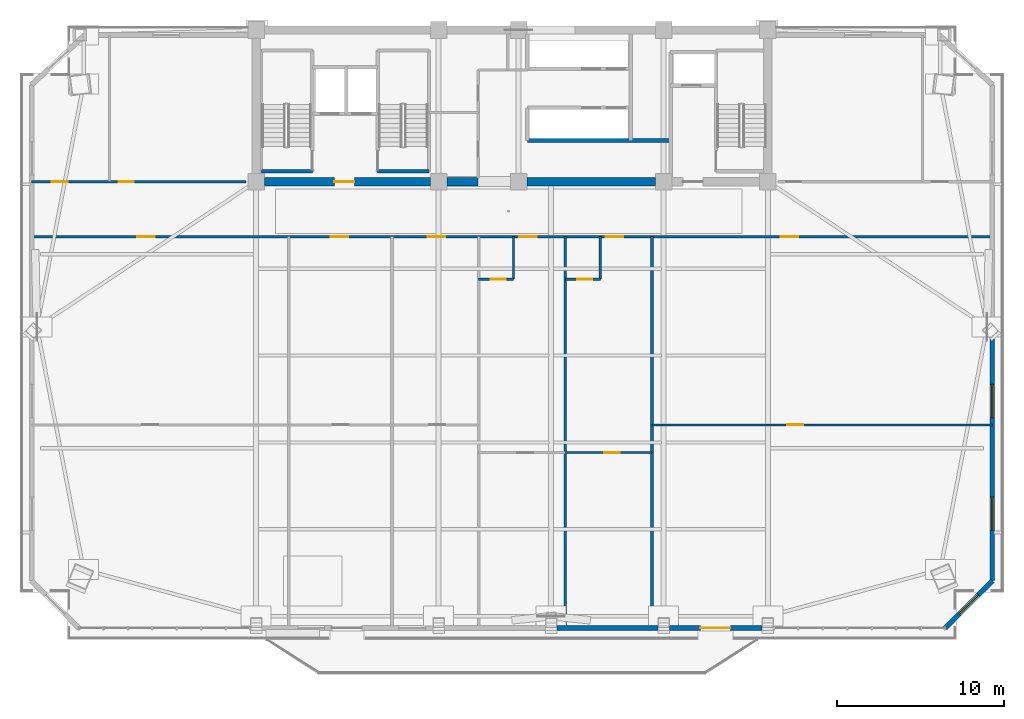
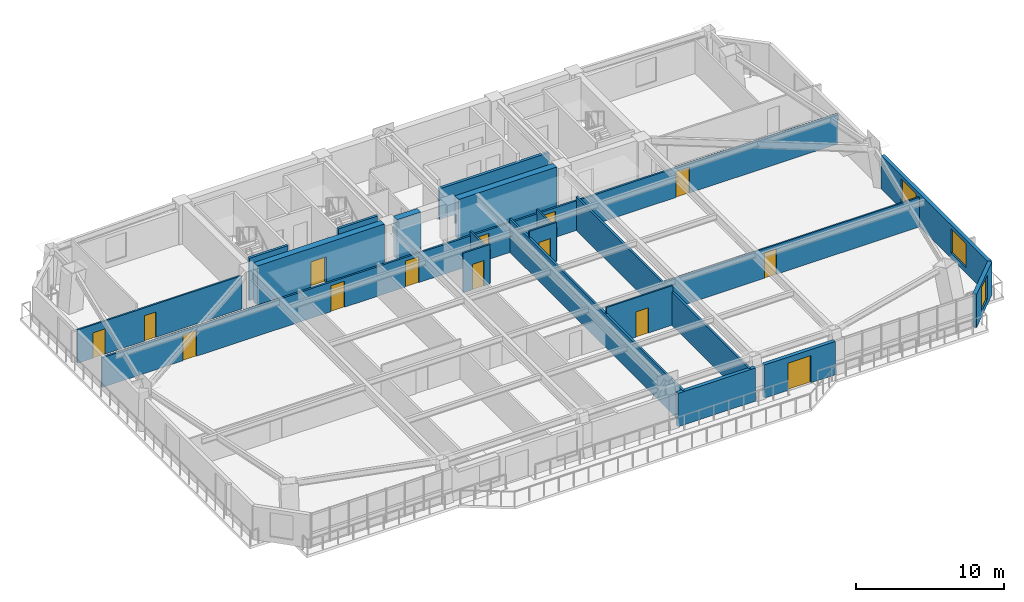
# One storey, part 8 of 16: 20 walls, 14 doors, 3 windows, 17 openings.
"""IFC4 building model written with IfcOpenShell, lengths in metres."""

from ifc_helpers import new_model, si_unit, direction, frame, frame_2d, origin, place, context, subcontext, project, spatial, rectangle, extrude, source, transform, mapped, material, layer, layer_set, type_object, element, fill, save


model = new_model("IFC4")

# Units and contexts
model_context = context("Model", 3, precision=1e-05, world=origin(), true_north=direction((0.0, 1.0)))
body_context = subcontext(model_context, "Body", "Model", "MODEL_VIEW")
ifc_project = project(units=[si_unit("LENGTHUNIT", "METRE"), si_unit("AREAUNIT", "SQUARE_METRE"), si_unit("VOLUMEUNIT", "CUBIC_METRE"), si_unit("PLANEANGLEUNIT", "RADIAN"), si_unit("MASSUNIT", "GRAM", prefix="KILO")], contexts=[model_context])

# Site, building, storey
site_placement = place(None, origin())
site = spatial("IfcSite", under=ifc_project, at=site_placement, CompositionType="ELEMENT")
building_placement = place(site_placement, origin())
building = spatial("IfcBuilding", under=site, at=building_placement, Name="Giltprow Tower", CompositionType="ELEMENT")
storey_placement = place(building_placement, frame((0.0, 0.0, 199.199951171875)))
storey = spatial("IfcBuildingStorey", under=building, at=storey_placement, Name="L50", CompositionType="ELEMENT", Elevation=199.199951171875)

# Wall, opening, window
ifc_material_1 = material(Name="Precast concrete C40", Category="concrete")
ifc_layer_1 = layer(ifc_material_1, 0.300048828125, Name="Precast concrete C40")
ifc_layer_set_1 = layer_set([ifc_layer_1], Name="Precast concrete C40")
wall_type_1 = type_object("IfcWallType", Name="EW-NOTCH-CHAMFER-300", PredefinedType="SOLIDWALL", material=ifc_layer_set_1)
wall_1_placement = place(storey_placement, frame((61.177001953125, 10.679931640625, 0.0), z_axis=(0.0, 0.0, 1.0), x_axis=(0.707106781187, 0.707106781187, 0.0)))
wall_1 = element("IfcWall", 1, at=wall_1_placement, inside=storey, type_object=wall_type_1, Name="L50 Corner Notch Wall SE", PredefinedType="SOLIDWALL", context=body_context, shape_type="SweptSolid", body=[
    extrude(rectangle(XDim=4.00927734375, YDim=0.300048828125, at=frame_2d((2.004638671875, 0.0))), origin(), (0.0, 0.0, 1.0), 2.75),
])
opening_1_placement = place(wall_1_placement, frame((1.205078125, 0.0, 0.449951171875)))
opening_1 = element("IfcOpeningElement", 2, at=opening_1_placement, cuts=wall_1, Name="Opening WN17", PredefinedType="OPENING", context=body_context, shape_type="SweptSolid", body=[
    extrude(rectangle(XDim=1.60009765625, YDim=2.0, at=frame_2d((0.800048828125, 1.0))), frame((0.0, 0.159912109375, 0.0), z_axis=(0.0, -1.0, 0.0), x_axis=(1.0, 0.0, 0.0)), (0.0, 0.0, 1.0), 0.320068359375),
])
ifc_material_2 = material(Name="Insulated glass", Category="glass")
window_type_1 = type_object("IfcWindowType", Name="WN-COR-1600x2000", PartitioningType="SINGLE_PANEL", PredefinedType="WINDOW", material=ifc_material_2)
shared_shape_1 = source(origin(), body_context, "Body", "SweptSolid", [
    extrude(rectangle(XDim=1.60009765625, YDim=2.0, at=frame_2d((0.800048828125, 1.0))), frame((0.0, 0.030029296875, 0.0), z_axis=(0.0, -1.0, 0.0), x_axis=(1.0, 0.0, 0.0)), (0.0, 0.0, 1.0), 0.06005859375),
])
window_1_placement = place(opening_1_placement, origin())
window_1 = element("IfcWindow", 3, at=window_1_placement, inside=storey, type_object=window_type_1, Name="L50 Corner Notch Window SE", OverallHeight=2.0, OverallWidth=1.60009765625, PartitioningType="SINGLE_PANEL", PredefinedType="WINDOW", context=body_context, shape_type="MappedRepresentation", body=[
    mapped(shared_shape_1, transform((0.0, 0.0, 0.0), x_axis=(1.0, 0.0, 0.0), y_axis=(0.0, 1.0, 0.0), z_axis=(0.0, 0.0, 1.0), scale=1.0)),
])
fill(opening_1, window_1)

# Wall
ifc_layer_2 = layer(ifc_material_1, 0.280029296875, Name="Precast concrete C40")
ifc_layer_set_2 = layer_set([ifc_layer_2], Name="Precast concrete C40")
wall_type_2 = type_object("IfcWallType", Name="EW-TOW-BRONZE-280", PredefinedType="SOLIDWALL", material=ifc_layer_set_2)
wall_2_placement = place(storey_placement, frame((37.89990234375, 10.679931640625, 0.0), z_axis=(0.0, 0.0, 1.0), x_axis=(1.0, 0.0, 0.0)))
element("IfcWall", 4, at=wall_2_placement, inside=storey, type_object=wall_type_2, Name="L50 South Expressed Frame Wall 4", PredefinedType="SOLIDWALL", context=body_context, shape_type="SweptSolid", body=[
    extrude(rectangle(XDim=6.050048828125, YDim=0.280029296875, at=frame_2d((3.02490234375, 0.0))), origin(), (0.0, 0.0, 1.0), 2.75),
])

# Wall, opening, door
wall_3_placement = place(storey_placement, frame((44.64990234375, 10.679931640625, 0.0), z_axis=(0.0, 0.0, 1.0), x_axis=(1.0, 0.0, 0.0)))
wall_3 = element("IfcWall", 5, at=wall_3_placement, inside=storey, type_object=wall_type_2, Name="L50 South Expressed Frame Wall 5", PredefinedType="SOLIDWALL", context=body_context, shape_type="SweptSolid", body=[
    extrude(rectangle(XDim=5.550048828125, YDim=0.280029296875, at=frame_2d((2.77490234375, 0.0))), origin(), (0.0, 0.0, 1.0), 2.75),
])
opening_2_placement = place(wall_3_placement, frame((1.85009765625, 0.0, 0.0)))
opening_2 = element("IfcOpeningElement", 6, at=opening_2_placement, cuts=wall_3, Name="Opening ED25", PredefinedType="OPENING", context=body_context, shape_type="SweptSolid", body=[
    extrude(rectangle(XDim=1.800048828125, YDim=2.25, at=frame_2d((0.89990234375, 1.125))), frame((0.0, 0.14990234375, 0.0), z_axis=(0.0, -1.0, 0.0), x_axis=(1.0, 0.0, 0.0)), (0.0, 0.0, 1.0), 0.300048828125),
])
ifc_material_3 = material(Name="Anodized bronze and glass", Category="glass")
door_type_1 = type_object("IfcDoorType", Name="DR-BALC-SLIDE-1800", OperationType="SLIDING_TO_LEFT", PredefinedType="DOOR", material=ifc_material_3)
shared_shape_2 = source(origin(), body_context, "Body", "SweptSolid", [
    extrude(rectangle(XDim=1.800048828125, YDim=2.25, at=frame_2d((0.89990234375, 1.125))), frame((0.0, 0.02490234375, 0.0), z_axis=(0.0, -1.0, 0.0), x_axis=(1.0, 0.0, 0.0)), (0.0, 0.0, 1.0), 0.050048828125),
])
door_1_placement = place(opening_2_placement, origin())
door_1 = element("IfcDoor", 7, at=door_1_placement, inside=storey, type_object=door_type_1, Name="L50 Waterfront Balcony Sliding Door 2", OperationType="SLIDING_TO_LEFT", OverallHeight=2.25, OverallWidth=1.800048828125, PredefinedType="DOOR", context=body_context, shape_type="MappedRepresentation", body=[
    mapped(shared_shape_2, transform((0.0, 0.0, 0.0), x_axis=(1.0, 0.0, 0.0), y_axis=(0.0, 1.0, 0.0), z_axis=(0.0, 0.0, 1.0), scale=1.0)),
])
fill(opening_2, door_1)

# Wall, openings, windows
wall_4_placement = place(storey_placement, frame((64.011962890625, 13.514892578125, 0.0), z_axis=(0.0, 0.0, 1.0), x_axis=(0.0, 1.0, 0.0)))
wall_4 = element("IfcWall", 8, at=wall_4_placement, inside=storey, type_object=wall_type_2, Name="L50 E Wing Masonry Wall 1", PredefinedType="SOLIDWALL", context=body_context, shape_type="SweptSolid", body=[
    extrude(rectangle(XDim=14.525146484375, YDim=0.280029296875, at=frame_2d((7.2626953125, 0.0))), origin(), (0.0, 0.0, 1.0), 2.75),
])
opening_3_placement = place(wall_4_placement, frame((3.01708984375, 0.0, 0.449951171875)))
opening_3 = element("IfcOpeningElement", 9, at=opening_3_placement, cuts=wall_4, Name="Opening WN21", PredefinedType="OPENING", context=body_context, shape_type="SweptSolid", body=[
    extrude(rectangle(XDim=2.0, YDim=2.0, at=frame_2d((1.0, 1.0))), frame((0.0, 0.14990234375, 0.0), z_axis=(0.0, -1.0, 0.0), x_axis=(1.0, 0.0, 0.0)), (0.0, 0.0, 1.0), 0.300048828125),
])
opening_4_placement = place(wall_4_placement, frame((9.779052734375, 0.0, 0.449951171875)))
opening_4 = element("IfcOpeningElement", 10, at=opening_4_placement, cuts=wall_4, Name="Opening WN21", PredefinedType="OPENING", context=body_context, shape_type="SweptSolid", body=[
    extrude(rectangle(XDim=2.0, YDim=2.0, at=frame_2d((1.0, 1.0))), frame((0.0, 0.14990234375, 0.0), z_axis=(0.0, -1.0, 0.0), x_axis=(1.0, 0.0, 0.0)), (0.0, 0.0, 1.0), 0.300048828125),
])
window_type_2 = type_object("IfcWindowType", Name="WN-HTL-2000x2000", PartitioningType="DOUBLE_PANEL_VERTICAL", PredefinedType="WINDOW", material=ifc_material_2)
shared_shape_3 = source(origin(), body_context, "Body", "SweptSolid", [
    extrude(rectangle(XDim=2.0, YDim=2.0, at=frame_2d((1.0, 1.0))), frame((0.0, 0.030029296875, 0.0), z_axis=(0.0, -1.0, 0.0), x_axis=(1.0, 0.0, 0.0)), (0.0, 0.0, 1.0), 0.06005859375),
])
window_2_placement = place(opening_3_placement, origin())
window_2 = element("IfcWindow", 11, at=window_2_placement, inside=storey, type_object=window_type_2, Name="L50 E Wing Window 1-1A", OverallHeight=2.0, OverallWidth=2.0, PartitioningType="SINGLE_PANEL", PredefinedType="WINDOW", context=body_context, shape_type="MappedRepresentation", body=[
    mapped(shared_shape_3, transform((0.0, 0.0, 0.0), x_axis=(1.0, 0.0, 0.0), y_axis=(0.0, 1.0, 0.0), z_axis=(0.0, 0.0, 1.0), scale=1.0)),
])
fill(opening_3, window_2)
window_3_placement = place(opening_4_placement, origin())
window_3 = element("IfcWindow", 12, at=window_3_placement, inside=storey, type_object=window_type_2, Name="L50 E Wing Window 1-1B", OverallHeight=2.0, OverallWidth=2.0, PartitioningType="SINGLE_PANEL", PredefinedType="WINDOW", context=body_context, shape_type="MappedRepresentation", body=[
    mapped(shared_shape_3, transform((0.0, 0.0, 0.0), x_axis=(1.0, 0.0, 0.0), y_axis=(0.0, 1.0, 0.0), z_axis=(0.0, 0.0, 1.0), scale=1.0)),
])
fill(opening_4, window_3)

# Wall, openings, doors
ifc_material_4 = material(Name="Gypsum stud partition", Category="gypsum")
ifc_layer_3 = layer(ifc_material_4, 0.14990234375, Name="Gypsum stud partition")
ifc_layer_set_3 = layer_set([ifc_layer_3], Name="Gypsum stud partition")
wall_type_3 = type_object("IfcWallType", Name="IW-CORR-150", PredefinedType="PARTITIONING", material=ifc_layer_set_3)
wall_5_placement = place(storey_placement, frame((6.388916015625, 34.14990234375, 0.0), z_axis=(0.0, 0.0, 1.0), x_axis=(1.0, 0.0, 0.0)))
wall_5 = element("IfcWall", 13, at=wall_5_placement, inside=storey, type_object=wall_type_3, Name="L50 Hotel Guestroom Corridor Wall", PredefinedType="PARTITIONING", context=body_context, shape_type="SweptSolid", body=[
    extrude(rectangle(XDim=57.623046875, YDim=0.14990234375, at=frame_2d((28.8115234375, 0.0))), origin(), (0.0, 0.0, 1.0), 2.455078125),
])
opening_5_placement = place(wall_5_placement, frame((6.343994140625, 0.0, 0.0)))
opening_5 = element("IfcOpeningElement", 14, at=opening_5_placement, cuts=wall_5, Name="Opening ID31", PredefinedType="OPENING", context=body_context, shape_type="SweptSolid", body=[
    extrude(rectangle(XDim=1.050048828125, YDim=2.14990234375, at=frame_2d((0.52490234375, 1.074951171875))), frame((0.0, 0.0849609375, 0.0), z_axis=(0.0, -1.0, 0.0), x_axis=(1.0, 0.0, 0.0)), (0.0, 0.0, 1.0), 0.169921875),
])
opening_6_placement = place(wall_5_placement, frame((17.93603515625, 0.0, 0.0)))
opening_6 = element("IfcOpeningElement", 15, at=opening_6_placement, cuts=wall_5, Name="Opening ID31", PredefinedType="OPENING", context=body_context, shape_type="SweptSolid", body=[
    extrude(rectangle(XDim=1.050048828125, YDim=2.14990234375, at=frame_2d((0.52490234375, 1.074951171875))), frame((0.0, 0.0849609375, 0.0), z_axis=(0.0, -1.0, 0.0), x_axis=(1.0, 0.0, 0.0)), (0.0, 0.0, 1.0), 0.169921875),
])
opening_7_placement = place(wall_5_placement, frame((23.756103515625, 0.0, 0.0)))
opening_7 = element("IfcOpeningElement", 16, at=opening_7_placement, cuts=wall_5, Name="Opening ID31", PredefinedType="OPENING", context=body_context, shape_type="SweptSolid", body=[
    extrude(rectangle(XDim=1.050048828125, YDim=2.14990234375, at=frame_2d((0.52490234375, 1.074951171875))), frame((0.0, 0.0849609375, 0.0), z_axis=(0.0, -1.0, 0.0), x_axis=(1.0, 0.0, 0.0)), (0.0, 0.0, 1.0), 0.169921875),
])
opening_8_placement = place(wall_5_placement, frame((29.2470703125, 0.0, 0.0)))
opening_8 = element("IfcOpeningElement", 17, at=opening_8_placement, cuts=wall_5, Name="Opening ID31", PredefinedType="OPENING", context=body_context, shape_type="SweptSolid", body=[
    extrude(rectangle(XDim=1.050048828125, YDim=2.14990234375, at=frame_2d((0.52490234375, 1.074951171875))), frame((0.0, 0.0849609375, 0.0), z_axis=(0.0, -1.0, 0.0), x_axis=(1.0, 0.0, 0.0)), (0.0, 0.0, 1.0), 0.169921875),
])
opening_9_placement = place(wall_5_placement, frame((34.447021484375, 0.0, 0.0)))
opening_9 = element("IfcOpeningElement", 18, at=opening_9_placement, cuts=wall_5, Name="Opening ID31", PredefinedType="OPENING", context=body_context, shape_type="SweptSolid", body=[
    extrude(rectangle(XDim=1.050048828125, YDim=2.14990234375, at=frame_2d((0.52490234375, 1.074951171875))), frame((0.0, 0.0849609375, 0.0), z_axis=(0.0, -1.0, 0.0), x_axis=(1.0, 0.0, 0.0)), (0.0, 0.0, 1.0), 0.169921875),
])
opening_10_placement = place(wall_5_placement, frame((44.94091796875, 0.0, 0.0)))
opening_10 = element("IfcOpeningElement", 19, at=opening_10_placement, cuts=wall_5, Name="Opening ID31", PredefinedType="OPENING", context=body_context, shape_type="SweptSolid", body=[
    extrude(rectangle(XDim=1.050048828125, YDim=2.14990234375, at=frame_2d((0.52490234375, 1.074951171875))), frame((0.0, 0.0849609375, 0.0), z_axis=(0.0, -1.0, 0.0), x_axis=(1.0, 0.0, 0.0)), (0.0, 0.0, 1.0), 0.169921875),
])
ifc_material_5 = material(Name="Engineered timber", Category="wood")
door_type_2 = type_object("IfcDoorType", Name="DR-SUITE-1050", OperationType="SINGLE_SWING_LEFT", PredefinedType="DOOR", material=ifc_material_5)
shared_shape_4 = source(origin(), body_context, "Body", "SweptSolid", [
    extrude(rectangle(XDim=1.050048828125, YDim=2.14990234375, at=frame_2d((0.52490234375, 1.074951171875))), frame((0.0, 0.02490234375, 0.0), z_axis=(0.0, -1.0, 0.0), x_axis=(1.0, 0.0, 0.0)), (0.0, 0.0, 1.0), 0.050048828125),
])
door_2_placement = place(opening_5_placement, origin())
door_2 = element("IfcDoor", 20, at=door_2_placement, inside=storey, type_object=door_type_2, Name="L50 Suite Reception Foyer Door", OperationType="SINGLE_SWING_LEFT", OverallHeight=2.14990234375, OverallWidth=1.050048828125, PredefinedType="DOOR", context=body_context, shape_type="MappedRepresentation", body=[
    mapped(shared_shape_4, transform((0.0, 0.0, 0.0), x_axis=(1.0, 0.0, 0.0), y_axis=(0.0, 1.0, 0.0), z_axis=(0.0, 0.0, 1.0), scale=1.0)),
])
fill(opening_5, door_2)
door_3_placement = place(opening_6_placement, origin())
door_3 = element("IfcDoor", 21, at=door_3_placement, inside=storey, type_object=door_type_2, Name="L50 Suite Reception Foyer Door", OperationType="SINGLE_SWING_LEFT", OverallHeight=2.14990234375, OverallWidth=1.050048828125, PredefinedType="DOOR", context=body_context, shape_type="MappedRepresentation", body=[
    mapped(shared_shape_4, transform((0.0, 0.0, 0.0), x_axis=(1.0, 0.0, 0.0), y_axis=(0.0, 1.0, 0.0), z_axis=(0.0, 0.0, 1.0), scale=1.0)),
])
fill(opening_6, door_3)
door_4_placement = place(opening_7_placement, origin())
door_4 = element("IfcDoor", 22, at=door_4_placement, inside=storey, type_object=door_type_2, Name="L50 Suite Reception Foyer Door", OperationType="SINGLE_SWING_LEFT", OverallHeight=2.14990234375, OverallWidth=1.050048828125, PredefinedType="DOOR", context=body_context, shape_type="MappedRepresentation", body=[
    mapped(shared_shape_4, transform((0.0, 0.0, 0.0), x_axis=(1.0, 0.0, 0.0), y_axis=(0.0, 1.0, 0.0), z_axis=(0.0, 0.0, 1.0), scale=1.0)),
])
fill(opening_7, door_4)
door_5_placement = place(opening_8_placement, origin())
door_5 = element("IfcDoor", 23, at=door_5_placement, inside=storey, type_object=door_type_2, Name="L50 Hotel Room 4 Entry Door", OperationType="SINGLE_SWING_LEFT", OverallHeight=2.14990234375, OverallWidth=1.050048828125, PredefinedType="DOOR", context=body_context, shape_type="MappedRepresentation", body=[
    mapped(shared_shape_4, transform((0.0, 0.0, 0.0), x_axis=(1.0, 0.0, 0.0), y_axis=(0.0, 1.0, 0.0), z_axis=(0.0, 0.0, 1.0), scale=1.0)),
])
fill(opening_8, door_5)
door_6_placement = place(opening_9_placement, origin())
door_6 = element("IfcDoor", 24, at=door_6_placement, inside=storey, type_object=door_type_2, Name="L50 Hotel Room 5 Entry Door", OperationType="SINGLE_SWING_RIGHT", OverallHeight=2.14990234375, OverallWidth=1.050048828125, PredefinedType="DOOR", context=body_context, shape_type="MappedRepresentation", body=[
    mapped(shared_shape_4, transform((0.0, 0.0, 0.0), x_axis=(1.0, 0.0, 0.0), y_axis=(0.0, 1.0, 0.0), z_axis=(0.0, 0.0, 1.0), scale=1.0)),
])
fill(opening_9, door_6)
door_7_placement = place(opening_10_placement, origin())
door_7 = element("IfcDoor", 25, at=door_7_placement, inside=storey, type_object=door_type_2, Name="L50 Suite Reception Foyer Door", OperationType="SINGLE_SWING_LEFT", OverallHeight=2.14990234375, OverallWidth=1.050048828125, PredefinedType="DOOR", context=body_context, shape_type="MappedRepresentation", body=[
    mapped(shared_shape_4, transform((0.0, 0.0, 0.0), x_axis=(1.0, 0.0, 0.0), y_axis=(0.0, 1.0, 0.0), z_axis=(0.0, 0.0, 1.0), scale=1.0)),
])
fill(opening_10, door_7)

# Walls
ifc_layer_4 = layer(ifc_material_4, 0.159912109375, Name="Gypsum stud partition")
ifc_layer_set_4 = layer_set([ifc_layer_4], Name="Gypsum stud partition")
wall_type_4 = type_object("IfcWallType", Name="IW-DEMISE-160", PredefinedType="PARTITIONING", material=ifc_layer_set_4)
for number, where, z_axis, x_axis, name in (
    (26, (38.39990234375, 10.679931640625, 0.0), (0.0, 0.0, 1.0), (0.0, 1.0, 0.0), "L50 Hotel Demising Wall 4"),
    (27, (43.60009765625, 10.679931640625, 0.0), (0.0, 0.0, 1.0), (0.0, 1.0, 0.0), "L50 Hotel Demising Wall 5"),
):
    element("IfcWall", number, at=place(storey_placement, frame(where, z_axis=z_axis, x_axis=x_axis)), inside=storey, type_object=wall_type_4, Name=name, PredefinedType="PARTITIONING", context=body_context, shape_type="SweptSolid", body=[
        extrude(rectangle(XDim=23.469970703125, YDim=0.159912109375, at=frame_2d((11.73486328125, 0.0))), origin(), (0.0, 0.0, 1.0), 2.755126953125),
    ])

# Wall, opening, door
ifc_layer_5 = layer(ifc_material_4, 0.1201171875, Name="Gypsum stud partition")
ifc_layer_set_5 = layer_set([ifc_layer_5], Name="Gypsum stud partition")
wall_type_5 = type_object("IfcWallType", Name="IW-ROOM-120", PredefinedType="PARTITIONING", material=ifc_layer_set_5)
wall_6_placement = place(storey_placement, frame((38.39990234375, 21.193115234375, 0.0), z_axis=(0.0, 0.0, 1.0), x_axis=(1.0, 0.0, 0.0)))
wall_6 = element("IfcWall", 28, at=wall_6_placement, inside=storey, type_object=wall_type_5, Name="L50 Suite Parlour Divider 5", PredefinedType="PARTITIONING", context=body_context, shape_type="SweptSolid", body=[
    extrude(rectangle(XDim=5.2001953125, YDim=0.1201171875, at=frame_2d((2.60009765625, 0.0))), origin(), (0.0, 0.0, 1.0), 3.27001953125),
])
opening_11_placement = place(wall_6_placement, frame((2.324951171875, 0.0, 0.0)))
opening_11 = element("IfcOpeningElement", 29, at=opening_11_placement, cuts=wall_6, Name="Opening ID11", PredefinedType="OPENING", context=body_context, shape_type="SweptSolid", body=[
    extrude(rectangle(XDim=0.949951171875, YDim=2.10009765625, at=frame_2d((0.47509765625, 1.050048828125))), frame((0.0, 0.070068359375, 0.0), z_axis=(0.0, -1.0, 0.0), x_axis=(1.0, 0.0, 0.0)), (0.0, 0.0, 1.0), 0.14013671875),
])
door_type_3 = type_object("IfcDoorType", Name="DR-ROOM-950", OperationType="SINGLE_SWING_RIGHT", PredefinedType="DOOR", material=ifc_material_5)
shared_shape_5 = source(origin(), body_context, "Body", "SweptSolid", [
    extrude(rectangle(XDim=0.949951171875, YDim=2.10009765625, at=frame_2d((0.47509765625, 1.050048828125))), frame((0.0, 0.02490234375, 0.0), z_axis=(0.0, -1.0, 0.0), x_axis=(1.0, 0.0, 0.0)), (0.0, 0.0, 1.0), 0.050048828125),
])
door_8_placement = place(opening_11_placement, origin())
door_8 = element("IfcDoor", 30, at=door_8_placement, inside=storey, type_object=door_type_3, Name="L50 Harbour Parlour 5 Door", OperationType="SINGLE_SWING_RIGHT", OverallHeight=2.10009765625, OverallWidth=0.949951171875, PredefinedType="DOOR", context=body_context, shape_type="MappedRepresentation", body=[
    mapped(shared_shape_5, transform((0.0, 0.0, 0.0), x_axis=(1.0, 0.0, 0.0), y_axis=(0.0, 1.0, 0.0), z_axis=(0.0, 0.0, 1.0), scale=1.0)),
])
fill(opening_11, door_8)

wall_7_placement = place(storey_placement, frame((43.60009765625, 22.867919921875, 0.0), z_axis=(0.0, 0.0, 1.0), x_axis=(1.0, 0.0, 0.0)))
wall_7 = element("IfcWall", 31, at=wall_7_placement, inside=storey, type_object=wall_type_5, Name="L50 Amenity Mid Wall 6", PredefinedType="PARTITIONING", context=body_context, shape_type="SweptSolid", body=[
    extrude(rectangle(XDim=20.411865234375, YDim=0.1201171875, at=frame_2d((10.2060546875, 0.0))), origin(), (0.0, 0.0, 1.0), 2.455078125),
])
opening_12_placement = place(wall_7_placement, frame((8.125, 0.0, 0.0)))
opening_12 = element("IfcOpeningElement", 32, at=opening_12_placement, cuts=wall_7, Name="Opening ID11", PredefinedType="OPENING", context=body_context, shape_type="SweptSolid", body=[
    extrude(rectangle(XDim=0.949951171875, YDim=2.10009765625, at=frame_2d((0.47509765625, 1.050048828125))), frame((0.0, 0.070068359375, 0.0), z_axis=(0.0, -1.0, 0.0), x_axis=(1.0, 0.0, 0.0)), (0.0, 0.0, 1.0), 0.14013671875),
])
door_9_placement = place(opening_12_placement, origin())
door_9 = element("IfcDoor", 33, at=door_9_placement, inside=storey, type_object=door_type_3, Name="L50 Banquet Chair Store 4 Inner Door", OperationType="SINGLE_SWING_RIGHT", OverallHeight=2.10009765625, OverallWidth=0.949951171875, PredefinedType="DOOR", context=body_context, shape_type="MappedRepresentation", body=[
    mapped(shared_shape_5, transform((0.0, 0.0, 0.0), x_axis=(1.0, 0.0, 0.0), y_axis=(0.0, 1.0, 0.0), z_axis=(0.0, 0.0, 1.0), scale=1.0)),
])
fill(opening_12, door_9)

# Walls
ifc_material_6 = material(Name="Concrete C40", Category="concrete")
ifc_layer_6 = layer(ifc_material_6, 0.219970703125, Name="Concrete C40")
ifc_layer_set_6 = layer_set([ifc_layer_6], Name="Concrete C40")
wall_type_6 = type_object("IfcWallType", Name="IW-SHAFT-220", PredefinedType="SOLIDWALL", material=ifc_layer_set_6)
wall_8_placement = place(storey_placement, frame((36.1201171875, 39.919921875, 0.0), z_axis=(0.0, 0.0, 1.0), x_axis=(1.0, 0.0, 0.0)))
element("IfcWall", 34, at=wall_8_placement, inside=storey, type_object=wall_type_6, Name="L50 Mid-Rise South Lift Back Wall", PredefinedType="SOLIDWALL", context=body_context, shape_type="SweptSolid", body=[
    extrude(rectangle(XDim=8.599853515625, YDim=0.219970703125, at=frame_2d((4.2998046875, 0.0))), origin(), (0.0, 0.0, 1.0), 2.554931640625),
])
ifc_layer_7 = layer(ifc_material_6, 0.199951171875, Name="Concrete C40")
ifc_layer_set_7 = layer_set([ifc_layer_7], Name="Concrete C40")
wall_type_7 = type_object("IfcWallType", Name="IW-STAIR-200", PredefinedType="SOLIDWALL", material=ifc_layer_set_7)
wall_9_placement = place(storey_placement, frame((20.169921875, 38.070068359375, 0.0), z_axis=(0.0, 0.0, 1.0), x_axis=(1.0, 0.0, 0.0)))
element("IfcWall", 35, at=wall_9_placement, inside=storey, type_object=wall_type_7, Name="L50 Stair ST-1 South Bearing Wall", PredefinedType="SOLIDWALL", context=body_context, shape_type="SweptSolid", body=[
    extrude(rectangle(XDim=3.050048828125, YDim=0.199951171875, at=frame_2d((1.52490234375, 0.0))), origin(), (0.0, 0.0, 1.0), 3.5),
])
wall_10_placement = place(storey_placement, frame((27.139892578125, 38.070068359375, 0.0), z_axis=(0.0, 0.0, 1.0), x_axis=(1.0, 0.0, 0.0)))
element("IfcWall", 36, at=wall_10_placement, inside=storey, type_object=wall_type_7, Name="L50 Stair ST-2 South Bearing Wall", PredefinedType="SOLIDWALL", context=body_context, shape_type="SweptSolid", body=[
    extrude(rectangle(XDim=3.080078125, YDim=0.199951171875, at=frame_2d((1.5400390625, 0.0))), origin(), (0.0, 0.0, 1.0), 3.5),
])

# Wall, opening, door
ifc_material_7 = material(Name="Concrete C30", Category="concrete")
ifc_layer_8 = layer(ifc_material_7, 0.1298828125, Name="Concrete C30")
ifc_layer_set_8 = layer_set([ifc_layer_8], Name="Concrete C30")
wall_type_8 = type_object("IfcWallType", Name="IW-WET-130", PredefinedType="PARTITIONING", material=ifc_layer_set_8)
wall_11_placement = place(storey_placement, frame((33.199951171875, 31.60009765625, 0.0), z_axis=(0.0, 0.0, 1.0), x_axis=(1.0, 0.0, 0.0)))
wall_11 = element("IfcWall", 37, at=wall_11_placement, inside=storey, type_object=wall_type_8, Name="L50 En-Suite South Wall 4", PredefinedType="PARTITIONING", context=body_context, shape_type="SweptSolid", body=[
    extrude(rectangle(XDim=2.095947265625, YDim=0.1298828125, at=frame_2d((1.0478515625, 0.0))), origin(), (0.0, 0.0, 1.0), 3.27001953125),
])
opening_13_placement = place(wall_11_placement, frame((0.718017578125, 0.0, 0.0)))
opening_13 = element("IfcOpeningElement", 38, at=opening_13_placement, cuts=wall_11, Name="Opening ID15", PredefinedType="OPENING", context=body_context, shape_type="SweptSolid", body=[
    extrude(rectangle(XDim=0.89990234375, YDim=2.10009765625, at=frame_2d((0.449951171875, 1.050048828125))), frame((0.0, 0.074951171875, 0.0), z_axis=(0.0, -1.0, 0.0), x_axis=(1.0, 0.0, 0.0)), (0.0, 0.0, 1.0), 0.14990234375),
])
door_type_4 = type_object("IfcDoorType", Name="DR-WC-900", OperationType="SINGLE_SWING_LEFT", PredefinedType="DOOR", material=ifc_material_5)
shared_shape_6 = source(origin(), body_context, "Body", "SweptSolid", [
    extrude(rectangle(XDim=0.89990234375, YDim=2.10009765625, at=frame_2d((0.449951171875, 1.050048828125))), frame((0.0, 0.02490234375, 0.0), z_axis=(0.0, -1.0, 0.0), x_axis=(1.0, 0.0, 0.0)), (0.0, 0.0, 1.0), 0.050048828125),
])
door_10_placement = place(opening_13_placement, origin())
door_10 = element("IfcDoor", 39, at=door_10_placement, inside=storey, type_object=door_type_4, Name="L50 En-Suite 4 Door", OperationType="SINGLE_SWING_RIGHT", OverallHeight=2.10009765625, OverallWidth=0.89990234375, PredefinedType="DOOR", context=body_context, shape_type="MappedRepresentation", body=[
    mapped(shared_shape_6, transform((0.0, 0.0, 0.0), x_axis=(1.0, 0.0, 0.0), y_axis=(0.0, 1.0, 0.0), z_axis=(0.0, 0.0, 1.0), scale=1.0)),
])
fill(opening_13, door_10)

# Wall
wall_12_placement = place(storey_placement, frame((35.2958984375, 31.60009765625, 0.0), z_axis=(0.0, 0.0, 1.0), x_axis=(0.0, 1.0, 0.0)))
element("IfcWall", 40, at=wall_12_placement, inside=storey, type_object=wall_type_8, Name="L50 En-Suite East Wall 4", PredefinedType="PARTITIONING", context=body_context, shape_type="SweptSolid", body=[
    extrude(rectangle(XDim=2.5498046875, YDim=0.1298828125, at=frame_2d((1.27490234375, 0.0))), origin(), (0.0, 0.0, 1.0), 2.804931640625),
])

# Wall, opening, door
wall_13_placement = place(storey_placement, frame((38.39990234375, 31.60009765625, 0.0), z_axis=(0.0, 0.0, 1.0), x_axis=(1.0, 0.0, 0.0)))
wall_13 = element("IfcWall", 41, at=wall_13_placement, inside=storey, type_object=wall_type_8, Name="L50 En-Suite South Wall 5", PredefinedType="PARTITIONING", context=body_context, shape_type="SweptSolid", body=[
    extrude(rectangle(XDim=2.09619140625, YDim=0.1298828125, at=frame_2d((1.048095703125, 0.0))), origin(), (0.0, 0.0, 1.0), 3.27001953125),
])
opening_14_placement = place(wall_13_placement, frame((0.718017578125, 0.0, 0.0)))
opening_14 = element("IfcOpeningElement", 42, at=opening_14_placement, cuts=wall_13, Name="Opening ID15", PredefinedType="OPENING", context=body_context, shape_type="SweptSolid", body=[
    extrude(rectangle(XDim=0.89990234375, YDim=2.10009765625, at=frame_2d((0.449951171875, 1.050048828125))), frame((0.0, 0.074951171875, 0.0), z_axis=(0.0, -1.0, 0.0), x_axis=(1.0, 0.0, 0.0)), (0.0, 0.0, 1.0), 0.14990234375),
])
door_11_placement = place(opening_14_placement, origin())
door_11 = element("IfcDoor", 43, at=door_11_placement, inside=storey, type_object=door_type_4, Name="L50 En-Suite 5 Door", OperationType="SINGLE_SWING_LEFT", OverallHeight=2.10009765625, OverallWidth=0.89990234375, PredefinedType="DOOR", context=body_context, shape_type="MappedRepresentation", body=[
    mapped(shared_shape_6, transform((0.0, 0.0, 0.0), x_axis=(1.0, 0.0, 0.0), y_axis=(0.0, 1.0, 0.0), z_axis=(0.0, 0.0, 1.0), scale=1.0)),
])
fill(opening_14, door_11)

# Wall
wall_14_placement = place(storey_placement, frame((40.49609375, 31.60009765625, 0.0), z_axis=(0.0, 0.0, 1.0), x_axis=(0.0, 1.0, 0.0)))
element("IfcWall", 44, at=wall_14_placement, inside=storey, type_object=wall_type_8, Name="L50 En-Suite East Wall 5", PredefinedType="PARTITIONING", context=body_context, shape_type="SweptSolid", body=[
    extrude(rectangle(XDim=2.5498046875, YDim=0.1298828125, at=frame_2d((1.27490234375, 0.0))), origin(), (0.0, 0.0, 1.0), 2.804931640625),
])

# Wall, openings, doors
wall_15_placement = place(storey_placement, frame((6.388916015625, 37.449951171875, 0.0), z_axis=(0.0, 0.0, 1.0), x_axis=(1.0, 0.0, 0.0)))
wall_15 = element("IfcWall", 45, at=wall_15_placement, inside=storey, type_object=wall_type_8, Name="L50 NW Wing South Wall", PredefinedType="PARTITIONING", context=body_context, shape_type="SweptSolid", body=[
    extrude(rectangle(XDim=12.861083984375, YDim=0.1298828125, at=frame_2d((6.4306640625, 0.0))), origin(), (0.0, 0.0, 1.0), 2.755126953125),
])
opening_15_placement = place(wall_15_placement, frame((1.214111328125, 0.0, 0.0)))
opening_15 = element("IfcOpeningElement", 46, at=opening_15_placement, cuts=wall_15, Name="Opening ID11", PredefinedType="OPENING", context=body_context, shape_type="SweptSolid", body=[
    extrude(rectangle(XDim=0.949951171875, YDim=2.10009765625, at=frame_2d((0.47509765625, 1.050048828125))), frame((0.0, 0.074951171875, 0.0), z_axis=(0.0, -1.0, 0.0), x_axis=(1.0, 0.0, 0.0)), (0.0, 0.0, 1.0), 0.14990234375),
])
opening_16_placement = place(wall_15_placement, frame((5.22802734375, 0.0, 0.0)))
opening_16 = element("IfcOpeningElement", 47, at=opening_16_placement, cuts=wall_15, Name="Opening ID15", PredefinedType="OPENING", context=body_context, shape_type="SweptSolid", body=[
    extrude(rectangle(XDim=0.89990234375, YDim=2.10009765625, at=frame_2d((0.449951171875, 1.050048828125))), frame((0.0, 0.074951171875, 0.0), z_axis=(0.0, -1.0, 0.0), x_axis=(1.0, 0.0, 0.0)), (0.0, 0.0, 1.0), 0.14990234375),
])
door_12_placement = place(opening_16_placement, origin())
door_12 = element("IfcDoor", 48, at=door_12_placement, inside=storey, type_object=door_type_4, Name="L50 NW Washroom Door", OperationType="SINGLE_SWING_RIGHT", OverallHeight=2.10009765625, OverallWidth=0.89990234375, PredefinedType="DOOR", context=body_context, shape_type="MappedRepresentation", body=[
    mapped(shared_shape_6, transform((0.0, 0.0, 0.0), x_axis=(1.0, 0.0, 0.0), y_axis=(0.0, 1.0, 0.0), z_axis=(0.0, 0.0, 1.0), scale=1.0)),
])
fill(opening_16, door_12)
door_13_placement = place(opening_15_placement, origin())
door_13 = element("IfcDoor", 49, at=door_13_placement, inside=storey, type_object=door_type_3, Name="L50 Hotel Floor Butler Office West Door", OperationType="SINGLE_SWING_LEFT", OverallHeight=2.10009765625, OverallWidth=0.949951171875, PredefinedType="DOOR", context=body_context, shape_type="MappedRepresentation", body=[
    mapped(shared_shape_5, transform((0.0, 0.0, 0.0), x_axis=(1.0, 0.0, 0.0), y_axis=(0.0, 1.0, 0.0), z_axis=(0.0, 0.0, 1.0), scale=1.0)),
])
fill(opening_15, door_13)

# Wall, opening, door
ifc_material_8 = material(Name="Concrete C50", Category="concrete")
ifc_layer_9 = layer(ifc_material_8, 0.5, Name="Concrete C50")
ifc_layer_set_9 = layer_set([ifc_layer_9], Name="Concrete C50")
wall_type_9 = type_object("IfcWallType", Name="SW-INT-500-C50", PredefinedType="SHEAR", material=ifc_layer_set_9)
wall_16_placement = place(storey_placement, frame((20.35009765625, 37.449951171875, 0.0), z_axis=(0.0, 0.0, 1.0), x_axis=(1.0, 0.0, 0.0)))
wall_16 = element("IfcWall", 50, at=wall_16_placement, inside=storey, type_object=wall_type_9, Name="L50 South Rear Core Shear Wall West", PredefinedType="SHEAR", context=body_context, shape_type="SweptSolid", body=[
    extrude(rectangle(XDim=9.949951171875, YDim=0.5, at=frame_2d((4.97509765625, 0.0))), origin(), (0.0, 0.0, 1.0), 3.27001953125),
])
opening_17_placement = place(wall_16_placement, frame((4.199951171875, 0.0, 0.0)))
opening_17 = element("IfcOpeningElement", 51, at=opening_17_placement, cuts=wall_16, Name="Opening ID19", PredefinedType="OPENING", context=body_context, shape_type="SweptSolid", body=[
    extrude(rectangle(XDim=1.199951171875, YDim=2.14990234375, at=frame_2d((0.60009765625, 1.074951171875))), frame((0.0, 0.260009765625, 0.0), z_axis=(0.0, -1.0, 0.0), x_axis=(1.0, 0.0, 0.0)), (0.0, 0.0, 1.0), 0.52001953125),
])
ifc_material_9 = material(Name="Steel fire leaf", Category="steel")
door_type_5 = type_object("IfcDoorType", Name="DR-FFLOBBY-1200", OperationType="SINGLE_SWING_RIGHT", PredefinedType="DOOR", material=ifc_material_9)
shared_shape_7 = source(origin(), body_context, "Body", "SweptSolid", [
    extrude(rectangle(XDim=1.199951171875, YDim=2.14990234375, at=frame_2d((0.60009765625, 1.074951171875))), frame((0.0, 0.02490234375, 0.0), z_axis=(0.0, -1.0, 0.0), x_axis=(1.0, 0.0, 0.0)), (0.0, 0.0, 1.0), 0.050048828125),
])
door_14_placement = place(opening_17_placement, origin())
door_14 = element("IfcDoor", 52, at=door_14_placement, inside=storey, type_object=door_type_5, Name="L50 West Firefighting Lobby Entry Door", OperationType="SINGLE_SWING_LEFT", OverallHeight=2.14990234375, OverallWidth=1.199951171875, PredefinedType="DOOR", context=body_context, shape_type="MappedRepresentation", body=[
    mapped(shared_shape_7, transform((0.0, 0.0, 0.0), x_axis=(1.0, 0.0, 0.0), y_axis=(0.0, 1.0, 0.0), z_axis=(0.0, 0.0, 1.0), scale=1.0)),
])
fill(opening_17, door_14)

# Walls
wall_17_placement = place(storey_placement, frame((31.300048828125, 37.449951171875, 0.0), z_axis=(0.0, 0.0, 1.0), x_axis=(1.0, 0.0, 0.0)))
element("IfcWall", 53, at=wall_17_placement, inside=storey, type_object=wall_type_9, Name="L50 South Rear Core Shear Wall Mid-West", PredefinedType="SHEAR", context=body_context, shape_type="SweptSolid", body=[
    extrude(rectangle(XDim=1.849853515625, YDim=0.5, at=frame_2d((0.9248046875, 0.0))), origin(), (0.0, 0.0, 1.0), 3.27001953125),
])
wall_18_placement = place(storey_placement, frame((36.10009765625, 37.449951171875, 0.0), z_axis=(0.0, 0.0, 1.0), x_axis=(1.0, 0.0, 0.0)))
element("IfcWall", 54, at=wall_18_placement, inside=storey, type_object=wall_type_9, Name="L50 South Rear Core Shear Wall Mid-East", PredefinedType="SHEAR", context=body_context, shape_type="SweptSolid", body=[
    extrude(rectangle(XDim=7.699951171875, YDim=0.5, at=frame_2d((3.85009765625, 0.0))), origin(), (0.0, 0.0, 1.0), 3.27001953125),
])

save(model, "model.ifc")
